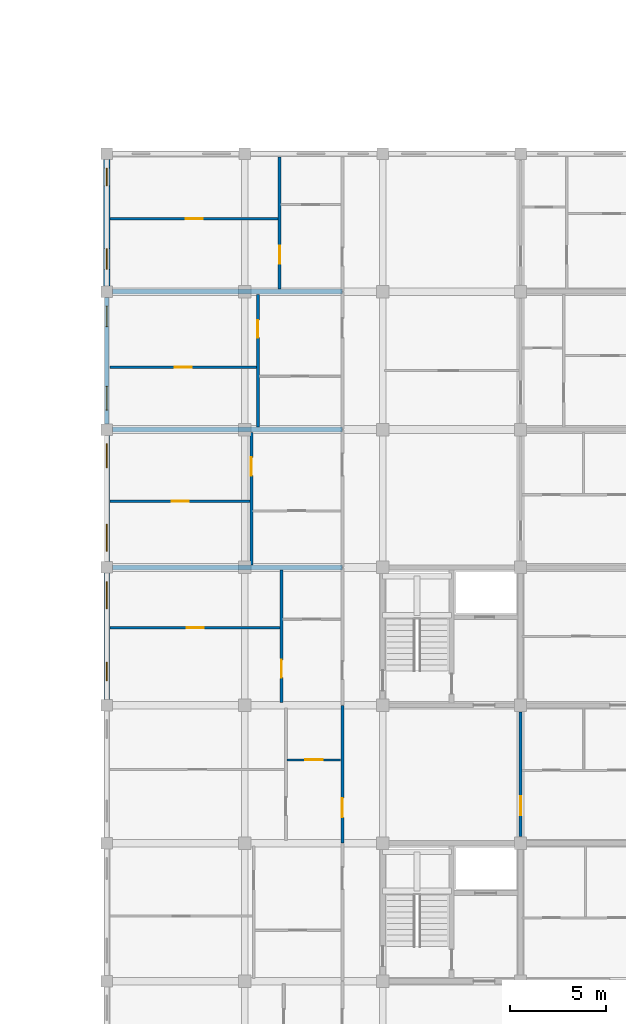
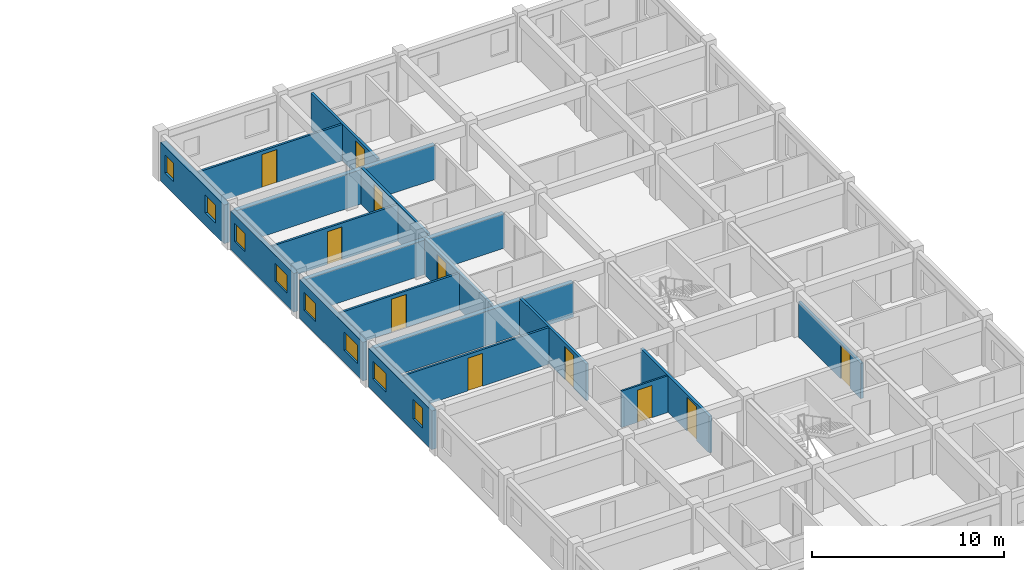
# One storey, part 31 of 50: 18 walls, 11 doors, 8 windows, 19 openings.
"""IFC4 building model written with IfcOpenShell, lengths in metres."""

import ifcopenshell
import ifcopenshell.guid

model = None  # the IFC model being written
_history = None  # IfcOwnerHistory: only IFC2X3 demands one
_inside = {}  # id of a spatial element -> (the spatial element, [elements in it])
_under = {}  # id of a project, library or spatial element -> (it, [spatial elements below it])
_declared = {}  # id of a project -> (the project, [libraries it declares])
_typed = {}  # id of a type object -> (the type object, [elements of that type])
_made_of = {}  # id of a material, layer set ... -> (it, [elements and type objects made of it])


def new_model(schema):
    """Start an empty IFC model of exactly this schema.

    Asked for "IFC4X3", IfcOpenShell would pick the latest addendum, in which some entities
    have other attributes; the version numbers below select the first issue.
    IFC2X3 requires an IfcOwnerHistory on every rooted entity: one is made here for all.
    """
    global model, _history
    if schema == "IFC4X3":
        model = ifcopenshell.file(schema_version=(4, 3, 0, 0))
    else:
        model = ifcopenshell.file(schema=schema)
    _inside.clear()
    _under.clear()
    _declared.clear()
    _typed.clear()
    _made_of.clear()
    _history = None
    if model.schema == "IFC2X3":
        org = make("IfcOrganization", Name="unknown")
        user = make(
            "IfcPersonAndOrganization",
            ThePerson=make("IfcPerson", FamilyName="unknown"),
            TheOrganization=org,
        )
        app = make(
            "IfcApplication",
            ApplicationDeveloper=org,
            Version="unknown",
            ApplicationFullName="unknown",
            ApplicationIdentifier="unknown",
        )
        _history = make(
            "IfcOwnerHistory",
            OwningUser=user,
            OwningApplication=app,
            ChangeAction="ADDED",
            CreationDate=0,
        )
    return model


def make(cls, **values):
    """One entity of the class cls with the attributes given. An attribute that is None is left unset."""
    return model.create_entity(
        cls, **{name: value for name, value in values.items() if value is not None}
    )


def rooted(cls, **values):
    """An entity with a GlobalId (a new one), such as an element, a storey or a relation."""
    return make(cls, GlobalId=ifcopenshell.guid.new(), OwnerHistory=_history, **values)


def si_unit(unit_type, name, prefix=None):
    """IfcSIUnit, for example si_unit("LENGTHUNIT", "METRE", prefix="MILLI")."""
    return make("IfcSIUnit", UnitType=unit_type, Prefix=prefix, Name=name)


def assignment(units):
    """IfcUnitAssignment: the units of a project."""
    return None if units is None else make("IfcUnitAssignment", Units=units)


def point(xyz):
    """IfcCartesianPoint."""
    return None if xyz is None else make("IfcCartesianPoint", Coordinates=xyz)


def direction(xyz):
    """IfcDirection."""
    return None if xyz is None else make("IfcDirection", DirectionRatios=xyz)


def frame(location, z_axis=None, x_axis=None):
    """IfcAxis2Placement3D, a coordinate frame: its origin and axes. An axis left out is left unset."""
    return make(
        "IfcAxis2Placement3D",
        Location=point(location),
        Axis=direction(z_axis),
        RefDirection=direction(x_axis),
    )


def frame_2d(location, x_axis=None):
    """IfcAxis2Placement2D, a coordinate frame in the plane: its origin and x axis."""
    return make(
        "IfcAxis2Placement2D", Location=point(location), RefDirection=direction(x_axis)
    )


def origin():
    """The frame at (0, 0, 0) with its axes left unset."""
    return frame((0.0, 0.0, 0.0))


def place(relative_to, where):
    """IfcLocalPlacement: puts the frame where relative to a parent placement (None: the world)."""
    return make(
        "IfcLocalPlacement", PlacementRelTo=relative_to, RelativePlacement=where
    )


def context(
    kind, dimensions, precision=None, world=None, true_north=None, identifier=None
):
    """IfcGeometricRepresentationContext, for example the 3D "Model" context."""
    return make(
        "IfcGeometricRepresentationContext",
        ContextIdentifier=identifier,
        ContextType=kind,
        CoordinateSpaceDimension=dimensions,
        Precision=precision,
        WorldCoordinateSystem=world,
        TrueNorth=true_north,
    )


def subcontext(parent, identifier, kind, view, scale=None):
    """IfcGeometricRepresentationSubContext, for example "Body" below "Model"."""
    return make(
        "IfcGeometricRepresentationSubContext",
        ContextIdentifier=identifier,
        ContextType=kind,
        ParentContext=parent,
        TargetScale=scale,
        TargetView=view,
    )


def project(units=None, contexts=None):
    """IfcProject with its units and contexts."""
    return rooted(
        "IfcProject",
        Name="project",
        RepresentationContexts=contexts,
        UnitsInContext=assignment(units),
    )


def spatial(cls, under=None, at=None, **own):
    """A site, building, storey or space (cls), placed at a placement, below another one or the project."""
    s = rooted(cls, ObjectPlacement=at, **own)
    if under is not None:
        _under.setdefault(under.id(), (under, []))[1].append(s)
    return s


def profile(cls, at=None, kind="AREA", **sizes):
    """A parametric profile (cls). Its sizes go by their IFC names, for example OverallWidth=200.0."""
    return make(cls, ProfileType=kind, Position=at, **sizes)


def rectangle(**sizes):
    """IfcRectangleProfileDef."""
    return profile("IfcRectangleProfileDef", **sizes)


def extrude(swept, where, along, depth):
    """IfcExtrudedAreaSolid: the profile swept, set in the frame where, extruded along a direction by depth."""
    return make(
        "IfcExtrudedAreaSolid",
        SweptArea=swept,
        Position=where,
        ExtrudedDirection=direction(along),
        Depth=depth,
    )


def shape(context_of_items, identifier, shape_type, items):
    """IfcShapeRepresentation: the items that make up one representation, for example the "Body"."""
    return make(
        "IfcShapeRepresentation",
        ContextOfItems=context_of_items,
        RepresentationIdentifier=identifier,
        RepresentationType=shape_type,
        Items=items,
    )


def material(Name=None, Category=None):
    """IfcMaterial."""
    return make("IfcMaterial", Name=Name, Category=Category)


def layer(
    of_material, thickness, ventilated=None, Name=None, Category=None, Priority=None
):
    """IfcMaterialLayer: one layer of a wall or slab, of a material (None: an air gap)."""
    return make(
        "IfcMaterialLayer",
        Material=of_material,
        LayerThickness=thickness,
        IsVentilated=ventilated,
        Name=Name,
        Category=Category,
        Priority=Priority,
    )


def layer_set(layers, Name=None):
    """IfcMaterialLayerSet."""
    return make("IfcMaterialLayerSet", MaterialLayers=layers, LayerSetName=Name)


def made_of(thing, what):
    """Note that an element or type object is made of a material, layer set ...; save() writes the relation."""
    if what is not None:
        _made_of.setdefault(what.id(), (what, []))[1].append(thing)
    return thing


def type_object(cls, material=None, **own):
    """A type object (cls), such as IfcWallType, which elements share."""
    return made_of(rooted(cls, **own), material)


def element(
    cls,
    number,
    at=None,
    inside=None,
    cuts=None,
    type_object=None,
    material=None,
    context=None,
    identifier="Body",
    shape_type=None,
    held_by="IfcProductDefinitionShape",
    body=None,
    shapes=None,
    **own,
):
    """One element of the class cls, such as IfcWall. Its Tag is "e" and its number.

    at: its placement. inside: the storey or other place that contains it. cuts: it is an
    opening in that element (IfcRelVoidsElement). A single representation is given by context,
    identifier, shape_type and body (its items); several are given by shapes. held_by: the class
    of the entity that holds the representations. save() writes the other relations.
    """
    e = rooted(cls, Tag="e%d" % number, ObjectPlacement=at, **own)
    if body is not None:
        shapes = [shape(context, identifier, shape_type, body)]
    if shapes is not None:
        e.Representation = make(held_by, Representations=shapes)
    if inside is not None:
        _inside.setdefault(inside.id(), (inside, []))[1].append(e)
    if cuts is not None:
        rooted(
            "IfcRelVoidsElement", RelatingBuildingElement=cuts, RelatedOpeningElement=e
        )
    if type_object is not None:
        _typed.setdefault(type_object.id(), (type_object, []))[1].append(e)
    return made_of(e, material)


def fill(opening, filler):
    """IfcRelFillsElement: the door or window that sits in an opening."""
    return rooted(
        "IfcRelFillsElement",
        RelatingOpeningElement=opening,
        RelatedBuildingElement=filler,
    )


def aggregate(whole, parts):
    """IfcRelAggregates: a whole, such as a stair, and the parts it consists of."""
    return rooted("IfcRelAggregates", RelatingObject=whole, RelatedObjects=parts)


def save(model, path):
    """Write the relations noted so far, then the file.

    IfcRelAggregates (storeys below a building ...), IfcRelContainedInSpatialStructure (elements
    in a storey), IfcRelDefinesByType, IfcRelAssociatesMaterial and IfcRelDeclares: one each for
    every whole, place, type object, material and project.
    """
    for whole, parts in _under.values():
        aggregate(whole, parts)
    for where, things in _inside.values():
        rooted(
            "IfcRelContainedInSpatialStructure",
            RelatedElements=things,
            RelatingStructure=where,
        )
    for kind, things in _typed.values():
        rooted("IfcRelDefinesByType", RelatedObjects=things, RelatingType=kind)
    for what, things in _made_of.values():
        rooted("IfcRelAssociatesMaterial", RelatedObjects=things, RelatingMaterial=what)
    for by, libraries in _declared.values():
        rooted("IfcRelDeclares", RelatingContext=by, RelatedDefinitions=libraries)
    model.write(path)


model = new_model("IFC4")

# Units and contexts
model_context = context("Model", 3, precision=1e-05, world=origin(), true_north=direction((0.0, 1.0)))
body_context = subcontext(model_context, "Body", "Model", "MODEL_VIEW")
ifc_project = project(units=[si_unit("LENGTHUNIT", "METRE"), si_unit("AREAUNIT", "SQUARE_METRE"), si_unit("VOLUMEUNIT", "CUBIC_METRE"), si_unit("PLANEANGLEUNIT", "RADIAN"), si_unit("MASSUNIT", "GRAM", prefix="KILO"), si_unit("THERMODYNAMICTEMPERATUREUNIT", "KELVIN"), si_unit("POWERUNIT", "WATT")], contexts=[model_context])

# Site, building, storey
site_placement = place(None, origin())
site = spatial("IfcSite", under=ifc_project, at=site_placement, CompositionType="ELEMENT")
building_placement = place(site_placement, origin())
building = spatial("IfcBuilding", under=site, at=building_placement, Name="Tavuni Mirador Residences", CompositionType="ELEMENT")
storey_placement = place(building_placement, frame((0.0, 0.0, 4.5)))
storey = spatial("IfcBuildingStorey", under=building, at=storey_placement, Name="L01", CompositionType="ELEMENT", Elevation=4.5)

# Wall, opening, door
ifc_material_1 = material(Name="Precast concrete C40/50", Category="concrete")
ifc_layer_1 = layer(ifc_material_1, 0.1650390625, Name="Precast concrete C40/50", Category="concrete")
ifc_layer_set_1 = layer_set([ifc_layer_1], Name="Precast concrete C40/50")
wall_type_1 = type_object("IfcWallType", Name="WT-CORR165", PredefinedType="PARTITIONING", material=ifc_layer_set_1)
wall_1_placement = place(storey_placement, frame((102.300048828125, 100.820068359375, 0.0), z_axis=(0.0, 0.0, 1.0), x_axis=(0.0, 1.0, 0.0)))
wall_1 = element("IfcWall", 1, at=wall_1_placement, inside=storey, type_object=wall_type_1, Name="CORW-BLK-D-L01-0-02", PredefinedType="PARTITIONING", context=body_context, shape_type="SweptSolid", body=[
    extrude(rectangle(XDim=7.159912109375, YDim=0.1650390625, at=frame_2d((3.580078125, 0.0))), origin(), (0.0, 0.0, 1.0), 2.324951171875),
])
opening_1_placement = place(wall_1_placement, frame((1.330078125, 0.0, 0.0)))
opening_1 = element("IfcOpeningElement", 2, at=opening_1_placement, cuts=wall_1, Name="Opening D-03", PredefinedType="OPENING", context=body_context, shape_type="SweptSolid", body=[
    extrude(rectangle(XDim=1.0, YDim=2.14990234375, at=frame_2d((0.5, 1.074951171875))), frame((0.0, 0.092529296875, 0.0), z_axis=(0.0, -1.0, 0.0), x_axis=(1.0, 0.0, 0.0)), (0.0, 0.0, 1.0), 0.18505859375),
])
ifc_material_2 = material(Name="Solid core iroko timber", Category="wood")
door_type_1 = type_object("IfcDoorType", Name="DT-FD60-1000", OperationType="NOTDEFINED", PredefinedType="DOOR", material=ifc_material_2)
door_1_placement = place(opening_1_placement, origin())
door_1 = element("IfcDoor", 3, at=door_1_placement, inside=storey, type_object=door_type_1, Name="DR-2823", OperationType="SINGLE_SWING_RIGHT", OverallHeight=2.14990234375, OverallWidth=1.0, PredefinedType="DOOR", context=body_context, shape_type="SweptSolid", body=[
    extrude(rectangle(XDim=1.0, YDim=2.14990234375, at=frame_2d((0.5, 1.074951171875))), frame((0.0, 0.02490234375, 0.0), z_axis=(0.0, -1.0, 0.0), x_axis=(1.0, 0.0, 0.0)), (0.0, 0.0, 1.0), 0.050048828125),
])
fill(opening_1, door_1)

wall_2_placement = place(storey_placement, frame((111.60009765625, 101.14990234375, 0.0), z_axis=(0.0, 0.0, 1.0), x_axis=(0.0, 1.0, 0.0)))
wall_2 = element("IfcWall", 4, at=wall_2_placement, inside=storey, type_object=wall_type_1, Name="CORW-BLK-D-L01-1-02", PredefinedType="PARTITIONING", context=body_context, shape_type="SweptSolid", body=[
    extrude(rectangle(XDim=6.5, YDim=0.1650390625, at=frame_2d((3.25, 0.0))), origin(), (0.0, 0.0, 1.0), 2.239990234375),
])
opening_2_placement = place(wall_2_placement, frame((1.10009765625, 0.0, 0.0)))
opening_2 = element("IfcOpeningElement", 5, at=opening_2_placement, cuts=wall_2, Name="Opening D-03", PredefinedType="OPENING", context=body_context, shape_type="SweptSolid", body=[
    extrude(rectangle(XDim=1.0, YDim=2.14990234375, at=frame_2d((0.5, 1.074951171875))), frame((0.0, 0.092529296875, 0.0), z_axis=(0.0, -1.0, 0.0), x_axis=(1.0, 0.0, 0.0)), (0.0, 0.0, 1.0), 0.18505859375),
])
door_2_placement = place(opening_2_placement, origin())
door_2 = element("IfcDoor", 6, at=door_2_placement, inside=storey, type_object=door_type_1, Name="DR-2829", OperationType="SINGLE_SWING_RIGHT", OverallHeight=2.14990234375, OverallWidth=1.0, PredefinedType="DOOR", context=body_context, shape_type="SweptSolid", body=[
    extrude(rectangle(XDim=1.0, YDim=2.14990234375, at=frame_2d((0.5, 1.074951171875))), frame((0.0, 0.02490234375, 0.0), z_axis=(0.0, -1.0, 0.0), x_axis=(1.0, 0.0, 0.0)), (0.0, 0.0, 1.0), 0.050048828125),
])
fill(opening_2, door_2)

# Wall, openings, windows
ifc_layer_2 = layer(ifc_material_1, 0.330078125, Name="Precast concrete C40/50", Category="concrete")
ifc_layer_set_2 = layer_set([ifc_layer_2], Name="Precast concrete C40/50")
wall_type_2 = type_object("IfcWallType", Name="WT-EXT-COR330", PredefinedType="SOLIDWALL", material=ifc_layer_set_2)
wall_3_placement = place(storey_placement, frame((90.0, 136.5, 0.0), z_axis=(0.0, 0.0, 1.0), x_axis=(0.0, -1.0, 0.0)))
wall_3 = element("IfcWall", 7, at=wall_3_placement, inside=storey, type_object=wall_type_2, Name="EW-BLK-D-L01-W06", PredefinedType="SOLIDWALL", context=body_context, shape_type="SweptSolid", body=[
    extrude(rectangle(XDim=6.60009765625, YDim=0.330078125, at=frame_2d((3.300048828125, 0.0))), origin(), (0.0, 0.0, 1.0), 2.4599609375),
])
opening_3_placement = place(wall_3_placement, frame((0.449951171875, 0.0, 0.780029296875)))
opening_3 = element("IfcOpeningElement", 8, at=opening_3_placement, cuts=wall_3, Name="Opening WN-02", PredefinedType="OPENING", context=body_context, shape_type="SweptSolid", body=[
    extrude(rectangle(XDim=0.919921875, YDim=1.14990234375, at=frame_2d((0.4599609375, 0.574951171875))), frame((0.0, 0.175048828125, 0.0), z_axis=(0.0, -1.0, 0.0), x_axis=(1.0, 0.0, 0.0)), (0.0, 0.0, 1.0), 0.35009765625),
])
opening_4_placement = place(wall_3_placement, frame((4.64990234375, 0.0, 0.780029296875)))
opening_4 = element("IfcOpeningElement", 9, at=opening_4_placement, cuts=wall_3, Name="Opening WN-04", PredefinedType="OPENING", context=body_context, shape_type="SweptSolid", body=[
    extrude(rectangle(XDim=1.080078125, YDim=1.14990234375, at=frame_2d((0.5400390625, 0.574951171875))), frame((0.0, 0.175048828125, 0.0), z_axis=(0.0, -1.0, 0.0), x_axis=(1.0, 0.0, 0.0)), (0.0, 0.0, 1.0), 0.35009765625),
])
ifc_material_3 = material(Name="Laminated solar-control glass", Category="glass")
window_type_1 = type_object("IfcWindowType", Name="WNT-02", PartitioningType="SINGLE_PANEL", PredefinedType="WINDOW", material=ifc_material_3)
window_1_placement = place(opening_3_placement, origin())
window_1 = element("IfcWindow", 10, at=window_1_placement, inside=storey, type_object=window_type_1, Name="WIN-1470", OverallHeight=1.14990234375, OverallWidth=0.919921875, PartitioningType="SINGLE_PANEL", PredefinedType="WINDOW", context=body_context, shape_type="SweptSolid", body=[
    extrude(rectangle(XDim=0.919921875, YDim=1.14990234375, at=frame_2d((0.4599609375, 0.574951171875))), frame((0.0, 0.030029296875, 0.0), z_axis=(0.0, -1.0, 0.0), x_axis=(1.0, 0.0, 0.0)), (0.0, 0.0, 1.0), 0.06005859375),
])
fill(opening_3, window_1)
window_type_2 = type_object("IfcWindowType", Name="WNT-04", PartitioningType="SINGLE_PANEL", PredefinedType="WINDOW", material=ifc_material_3)
window_2_placement = place(opening_4_placement, origin())
window_2 = element("IfcWindow", 11, at=window_2_placement, inside=storey, type_object=window_type_2, Name="WIN-1471", OverallHeight=1.14990234375, OverallWidth=1.080078125, PartitioningType="SINGLE_PANEL", PredefinedType="WINDOW", context=body_context, shape_type="SweptSolid", body=[
    extrude(rectangle(XDim=1.080078125, YDim=1.14990234375, at=frame_2d((0.5400390625, 0.574951171875))), frame((0.0, 0.030029296875, 0.0), z_axis=(0.0, -1.0, 0.0), x_axis=(1.0, 0.0, 0.0)), (0.0, 0.0, 1.0), 0.06005859375),
])
fill(opening_4, window_2)

ifc_material_4 = material(Name="Sgraffito lime-rendered precast concrete C40/50", Category="concrete")
ifc_layer_3 = layer(ifc_material_4, 0.2451171875, Name="Sgraffito lime-rendered precast concrete C40/50", Category="concrete")
ifc_layer_set_3 = layer_set([ifc_layer_3], Name="Sgraffito lime-rendered precast concrete C40/50")
wall_type_3 = type_object("IfcWallType", Name="WT-EXT-PC245", PredefinedType="SOLIDWALL", material=ifc_layer_set_3)
wall_4_placement = place(storey_placement, frame((90.0, 129.300048828125, 0.0), z_axis=(0.0, 0.0, 1.0), x_axis=(0.0, -1.0, 0.0)))
wall_4 = element("IfcWall", 12, at=wall_4_placement, inside=storey, type_object=wall_type_3, Name="EW-BLK-D-L01-W05", PredefinedType="SOLIDWALL", context=body_context, shape_type="SweptSolid", body=[
    extrude(rectangle(XDim=6.60009765625, YDim=0.2451171875, at=frame_2d((3.300048828125, 0.0))), origin(), (0.0, 0.0, 1.0), 2.4599609375),
])
opening_5_placement = place(wall_4_placement, frame((0.449951171875, 0.0, 0.780029296875)))
opening_5 = element("IfcOpeningElement", 13, at=opening_5_placement, cuts=wall_4, Name="Opening WN-04", PredefinedType="OPENING", context=body_context, shape_type="SweptSolid", body=[
    extrude(rectangle(XDim=1.080078125, YDim=1.14990234375, at=frame_2d((0.5400390625, 0.574951171875))), frame((0.0, 0.132568359375, 0.0), z_axis=(0.0, -1.0, 0.0), x_axis=(1.0, 0.0, 0.0)), (0.0, 0.0, 1.0), 0.26513671875),
])
opening_6_placement = place(wall_4_placement, frame((4.64990234375, 0.0, 0.780029296875)))
opening_6 = element("IfcOpeningElement", 14, at=opening_6_placement, cuts=wall_4, Name="Opening WN-06", PredefinedType="OPENING", context=body_context, shape_type="SweptSolid", body=[
    extrude(rectangle(XDim=1.239990234375, YDim=1.14990234375, at=frame_2d((0.6201171875, 0.574951171875))), frame((0.0, 0.132568359375, 0.0), z_axis=(0.0, -1.0, 0.0), x_axis=(1.0, 0.0, 0.0)), (0.0, 0.0, 1.0), 0.26513671875),
])
window_3_placement = place(opening_5_placement, origin())
window_3 = element("IfcWindow", 15, at=window_3_placement, inside=storey, type_object=window_type_2, Name="WIN-1472", OverallHeight=1.14990234375, OverallWidth=1.080078125, PartitioningType="SINGLE_PANEL", PredefinedType="WINDOW", context=body_context, shape_type="SweptSolid", body=[
    extrude(rectangle(XDim=1.080078125, YDim=1.14990234375, at=frame_2d((0.5400390625, 0.574951171875))), frame((0.0, 0.030029296875, 0.0), z_axis=(0.0, -1.0, 0.0), x_axis=(1.0, 0.0, 0.0)), (0.0, 0.0, 1.0), 0.06005859375),
])
fill(opening_5, window_3)
window_type_3 = type_object("IfcWindowType", Name="WNT-06", PartitioningType="SINGLE_PANEL", PredefinedType="WINDOW", material=ifc_material_3)
window_4_placement = place(opening_6_placement, origin())
window_4 = element("IfcWindow", 16, at=window_4_placement, inside=storey, type_object=window_type_3, Name="WIN-1473", OverallHeight=1.14990234375, OverallWidth=1.239990234375, PartitioningType="SINGLE_PANEL", PredefinedType="WINDOW", context=body_context, shape_type="SweptSolid", body=[
    extrude(rectangle(XDim=1.239990234375, YDim=1.14990234375, at=frame_2d((0.6201171875, 0.574951171875))), frame((0.0, 0.030029296875, 0.0), z_axis=(0.0, -1.0, 0.0), x_axis=(1.0, 0.0, 0.0)), (0.0, 0.0, 1.0), 0.06005859375),
])
fill(opening_6, window_4)

ifc_layer_4 = layer(ifc_material_4, 0.2548828125, Name="Sgraffito lime-rendered precast concrete C40/50", Category="concrete")
ifc_layer_set_4 = layer_set([ifc_layer_4], Name="Sgraffito lime-rendered precast concrete C40/50")
wall_type_4 = type_object("IfcWallType", Name="WT-EXT-PC255", PredefinedType="SOLIDWALL", material=ifc_layer_set_4)
wall_5_placement = place(storey_placement, frame((90.0, 122.10009765625, 0.0), z_axis=(0.0, 0.0, 1.0), x_axis=(0.0, -1.0, 0.0)))
wall_5 = element("IfcWall", 17, at=wall_5_placement, inside=storey, type_object=wall_type_4, Name="EW-BLK-D-L01-W04", PredefinedType="SOLIDWALL", context=body_context, shape_type="SweptSolid", body=[
    extrude(rectangle(XDim=6.60009765625, YDim=0.2548828125, at=frame_2d((3.300048828125, 0.0))), origin(), (0.0, 0.0, 1.0), 2.4599609375),
])
opening_7_placement = place(wall_5_placement, frame((0.449951171875, 0.0, 0.780029296875)))
opening_7 = element("IfcOpeningElement", 18, at=opening_7_placement, cuts=wall_5, Name="Opening WN-06", PredefinedType="OPENING", context=body_context, shape_type="SweptSolid", body=[
    extrude(rectangle(XDim=1.239990234375, YDim=1.14990234375, at=frame_2d((0.6201171875, 0.574951171875))), frame((0.0, 0.137451171875, 0.0), z_axis=(0.0, -1.0, 0.0), x_axis=(1.0, 0.0, 0.0)), (0.0, 0.0, 1.0), 0.27490234375),
])
opening_8_placement = place(wall_5_placement, frame((4.64990234375, 0.0, 0.780029296875)))
opening_8 = element("IfcOpeningElement", 19, at=opening_8_placement, cuts=wall_5, Name="Opening WN-08", PredefinedType="OPENING", context=body_context, shape_type="SweptSolid", body=[
    extrude(rectangle(XDim=1.39990234375, YDim=1.14990234375, at=frame_2d((0.699951171875, 0.574951171875))), frame((0.0, 0.137451171875, 0.0), z_axis=(0.0, -1.0, 0.0), x_axis=(1.0, 0.0, 0.0)), (0.0, 0.0, 1.0), 0.27490234375),
])
window_5_placement = place(opening_7_placement, origin())
window_5 = element("IfcWindow", 20, at=window_5_placement, inside=storey, type_object=window_type_3, Name="WIN-1474", OverallHeight=1.14990234375, OverallWidth=1.239990234375, PartitioningType="SINGLE_PANEL", PredefinedType="WINDOW", context=body_context, shape_type="SweptSolid", body=[
    extrude(rectangle(XDim=1.239990234375, YDim=1.14990234375, at=frame_2d((0.6201171875, 0.574951171875))), frame((0.0, 0.030029296875, 0.0), z_axis=(0.0, -1.0, 0.0), x_axis=(1.0, 0.0, 0.0)), (0.0, 0.0, 1.0), 0.06005859375),
])
fill(opening_7, window_5)
window_type_4 = type_object("IfcWindowType", Name="WNT-08", PartitioningType="SINGLE_PANEL", PredefinedType="WINDOW", material=ifc_material_3)
window_6_placement = place(opening_8_placement, origin())
window_6 = element("IfcWindow", 21, at=window_6_placement, inside=storey, type_object=window_type_4, Name="WIN-1475", OverallHeight=1.14990234375, OverallWidth=1.39990234375, PartitioningType="SINGLE_PANEL", PredefinedType="WINDOW", context=body_context, shape_type="SweptSolid", body=[
    extrude(rectangle(XDim=1.39990234375, YDim=1.14990234375, at=frame_2d((0.699951171875, 0.574951171875))), frame((0.0, 0.030029296875, 0.0), z_axis=(0.0, -1.0, 0.0), x_axis=(1.0, 0.0, 0.0)), (0.0, 0.0, 1.0), 0.06005859375),
])
fill(opening_8, window_6)

ifc_layer_5 = layer(ifc_material_4, 0.27490234375, Name="Sgraffito lime-rendered precast concrete C40/50", Category="concrete")
ifc_layer_set_5 = layer_set([ifc_layer_5], Name="Sgraffito lime-rendered precast concrete C40/50")
wall_type_5 = type_object("IfcWallType", Name="WT-EXT-PC275", PredefinedType="SOLIDWALL", material=ifc_layer_set_5)
wall_6_placement = place(storey_placement, frame((90.0, 114.89990234375, 0.0), z_axis=(0.0, 0.0, 1.0), x_axis=(0.0, -1.0, 0.0)))
wall_6 = element("IfcWall", 22, at=wall_6_placement, inside=storey, type_object=wall_type_5, Name="EW-BLK-D-L01-W03", PredefinedType="SOLIDWALL", context=body_context, shape_type="SweptSolid", body=[
    extrude(rectangle(XDim=6.599853515625, YDim=0.27490234375, at=frame_2d((3.2998046875, 0.0))), origin(), (0.0, 0.0, 1.0), 2.4599609375),
])
opening_9_placement = place(wall_6_placement, frame((0.449951171875, 0.0, 0.780029296875)))
opening_9 = element("IfcOpeningElement", 23, at=opening_9_placement, cuts=wall_6, Name="Opening WN-08", PredefinedType="OPENING", context=body_context, shape_type="SweptSolid", body=[
    extrude(rectangle(XDim=1.39990234375, YDim=1.14990234375, at=frame_2d((0.699951171875, 0.574951171875))), frame((0.0, 0.1474609375, 0.0), z_axis=(0.0, -1.0, 0.0), x_axis=(1.0, 0.0, 0.0)), (0.0, 0.0, 1.0), 0.294921875),
])
opening_10_placement = place(wall_6_placement, frame((4.64990234375, 0.0, 0.780029296875)))
opening_10 = element("IfcOpeningElement", 24, at=opening_10_placement, cuts=wall_6, Name="Opening WN-10", PredefinedType="OPENING", context=body_context, shape_type="SweptSolid", body=[
    extrude(rectangle(XDim=0.9599609375, YDim=1.260009765625, at=frame_2d((0.47998046875, 0.6298828125))), frame((0.0, 0.1474609375, 0.0), z_axis=(0.0, -1.0, 0.0), x_axis=(1.0, 0.0, 0.0)), (0.0, 0.0, 1.0), 0.294921875),
])
window_7_placement = place(opening_9_placement, origin())
window_7 = element("IfcWindow", 25, at=window_7_placement, inside=storey, type_object=window_type_4, Name="WIN-1476", OverallHeight=1.14990234375, OverallWidth=1.39990234375, PartitioningType="SINGLE_PANEL", PredefinedType="WINDOW", context=body_context, shape_type="SweptSolid", body=[
    extrude(rectangle(XDim=1.39990234375, YDim=1.14990234375, at=frame_2d((0.699951171875, 0.574951171875))), frame((0.0, 0.030029296875, 0.0), z_axis=(0.0, -1.0, 0.0), x_axis=(1.0, 0.0, 0.0)), (0.0, 0.0, 1.0), 0.06005859375),
])
fill(opening_9, window_7)
window_type_5 = type_object("IfcWindowType", Name="WNT-10", PartitioningType="SINGLE_PANEL", PredefinedType="WINDOW", material=ifc_material_3)
window_8_placement = place(opening_10_placement, origin())
window_8 = element("IfcWindow", 26, at=window_8_placement, inside=storey, type_object=window_type_5, Name="WIN-1477", OverallHeight=1.260009765625, OverallWidth=0.9599609375, PartitioningType="SINGLE_PANEL", PredefinedType="WINDOW", context=body_context, shape_type="SweptSolid", body=[
    extrude(rectangle(XDim=0.9599609375, YDim=1.260009765625, at=frame_2d((0.47998046875, 0.6298828125))), frame((0.0, 0.030029296875, 0.0), z_axis=(0.0, -1.0, 0.0), x_axis=(1.0, 0.0, 0.0)), (0.0, 0.0, 1.0), 0.06005859375),
])
fill(opening_10, window_8)

# Wall, opening, door
ifc_material_5 = material(Name="Acoustic gypsum and concrete block partition", Category="concrete")
ifc_layer_6 = layer(ifc_material_5, 0.10498046875, Name="Acoustic gypsum and concrete block partition", Category="concrete")
ifc_layer_set_6 = layer_set([ifc_layer_6], Name="Acoustic gypsum and concrete block partition")
wall_type_6 = type_object("IfcWallType", Name="WT-PART105", PredefinedType="PARTITIONING", material=ifc_layer_set_6)
wall_7_placement = place(storey_placement, frame((99.419921875, 105.14990234375, 0.0), z_axis=(0.0, 0.0, 1.0), x_axis=(1.0, 0.0, 0.0)))
wall_7 = element("IfcWall", 27, at=wall_7_placement, inside=storey, type_object=wall_type_6, Name="PW-BLK-D-L01-W02-IN1", PredefinedType="PARTITIONING", context=body_context, shape_type="SweptSolid", body=[
    extrude(rectangle(XDim=2.7900390625, YDim=0.10498046875, at=frame_2d((1.39501953125, 0.0))), origin(), (0.0, 0.0, 1.0), 2.324951171875),
])
opening_11_placement = place(wall_7_placement, frame((0.945068359375, 0.0, 0.0)))
opening_11 = element("IfcOpeningElement", 28, at=opening_11_placement, cuts=wall_7, Name="Opening D-09", PredefinedType="OPENING", context=body_context, shape_type="SweptSolid", body=[
    extrude(rectangle(XDim=0.89990234375, YDim=2.050048828125, at=frame_2d((0.449951171875, 1.02490234375))), frame((0.0, 0.0625, 0.0), z_axis=(0.0, -1.0, 0.0), x_axis=(1.0, 0.0, 0.0)), (0.0, 0.0, 1.0), 0.125),
])
door_type_2 = type_object("IfcDoorType", Name="DT-WC900", OperationType="NOTDEFINED", PredefinedType="DOOR", material=ifc_material_2)
door_3_placement = place(opening_11_placement, origin())
door_3 = element("IfcDoor", 29, at=door_3_placement, inside=storey, type_object=door_type_2, Name="DR-4325", OperationType="SINGLE_SWING_RIGHT", OverallHeight=2.050048828125, OverallWidth=0.89990234375, PredefinedType="DOOR", context=body_context, shape_type="SweptSolid", body=[
    extrude(rectangle(XDim=0.89990234375, YDim=2.050048828125, at=frame_2d((0.449951171875, 1.02490234375))), frame((0.0, 0.02490234375, 0.0), z_axis=(0.0, -1.0, 0.0), x_axis=(1.0, 0.0, 0.0)), (0.0, 0.0, 1.0), 0.050048828125),
])
fill(opening_11, door_3)

ifc_layer_7 = layer(ifc_material_5, 0.125, Name="Acoustic gypsum and concrete block partition", Category="concrete")
ifc_layer_set_7 = layer_set([ifc_layer_7], Name="Acoustic gypsum and concrete block partition")
wall_type_7 = type_object("IfcWallType", Name="WT-PART125", PredefinedType="PARTITIONING", material=ifc_layer_set_7)
wall_8_placement = place(storey_placement, frame((90.175048828125, 112.050048828125, 0.0), z_axis=(0.0, 0.0, 1.0), x_axis=(1.0, 0.0, 0.0)))
wall_8 = element("IfcWall", 30, at=wall_8_placement, inside=storey, type_object=wall_type_7, Name="PW-BLK-D-L01-W03-OUT", PredefinedType="PARTITIONING", context=body_context, shape_type="SweptSolid", body=[
    extrude(rectangle(XDim=8.875, YDim=0.125, at=frame_2d((4.4375, 0.0))), origin(), (0.0, 0.0, 1.0), 2.324951171875),
])
opening_12_placement = place(wall_8_placement, frame((3.99755859375, 0.0, 0.0)))
opening_12 = element("IfcOpeningElement", 31, at=opening_12_placement, cuts=wall_8, Name="Opening D-08", PredefinedType="OPENING", context=body_context, shape_type="SweptSolid", body=[
    extrude(rectangle(XDim=0.8798828125, YDim=2.080078125, at=frame_2d((0.43994140625, 1.0400390625))), frame((0.0, 0.072509765625, 0.0), z_axis=(0.0, -1.0, 0.0), x_axis=(1.0, 0.0, 0.0)), (0.0, 0.0, 1.0), 0.14501953125),
])
door_type_3 = type_object("IfcDoorType", Name="DT-BED880", OperationType="NOTDEFINED", PredefinedType="DOOR", material=ifc_material_2)
door_4_placement = place(opening_12_placement, origin())
door_4 = element("IfcDoor", 32, at=door_4_placement, inside=storey, type_object=door_type_3, Name="DR-4329", OperationType="SINGLE_SWING_RIGHT", OverallHeight=2.080078125, OverallWidth=0.8798828125, PredefinedType="DOOR", context=body_context, shape_type="SweptSolid", body=[
    extrude(rectangle(XDim=0.8798828125, YDim=2.080078125, at=frame_2d((0.43994140625, 1.0400390625))), frame((0.0, 0.02490234375, 0.0), z_axis=(0.0, -1.0, 0.0), x_axis=(1.0, 0.0, 0.0)), (0.0, 0.0, 1.0), 0.050048828125),
])
fill(opening_12, door_4)

wall_9_placement = place(storey_placement, frame((90.175048828125, 118.64990234375, 0.0), z_axis=(0.0, 0.0, 1.0), x_axis=(1.0, 0.0, 0.0)))
wall_9 = element("IfcWall", 33, at=wall_9_placement, inside=storey, type_object=wall_type_7, Name="PW-BLK-D-L01-W04-OUT", PredefinedType="PARTITIONING", context=body_context, shape_type="SweptSolid", body=[
    extrude(rectangle(XDim=7.304931640625, YDim=0.125, at=frame_2d((3.65234375, 0.0))), origin(), (0.0, 0.0, 1.0), 2.324951171875),
])
opening_13_placement = place(wall_9_placement, frame((3.202392578125, 0.0, 0.0)))
opening_13 = element("IfcOpeningElement", 34, at=opening_13_placement, cuts=wall_9, Name="Opening D-07", PredefinedType="OPENING", context=body_context, shape_type="SweptSolid", body=[
    extrude(rectangle(XDim=0.89990234375, YDim=2.10009765625, at=frame_2d((0.449951171875, 1.050048828125))), frame((0.0, 0.072509765625, 0.0), z_axis=(0.0, -1.0, 0.0), x_axis=(1.0, 0.0, 0.0)), (0.0, 0.0, 1.0), 0.14501953125),
])
door_type_4 = type_object("IfcDoorType", Name="DT-BED900", OperationType="NOTDEFINED", PredefinedType="DOOR", material=ifc_material_2)
door_5_placement = place(opening_13_placement, origin())
door_5 = element("IfcDoor", 35, at=door_5_placement, inside=storey, type_object=door_type_4, Name="DR-4333", OperationType="SINGLE_SWING_LEFT", OverallHeight=2.10009765625, OverallWidth=0.89990234375, PredefinedType="DOOR", context=body_context, shape_type="SweptSolid", body=[
    extrude(rectangle(XDim=0.89990234375, YDim=2.10009765625, at=frame_2d((0.449951171875, 1.050048828125))), frame((0.0, 0.02490234375, 0.0), z_axis=(0.0, -1.0, 0.0), x_axis=(1.0, 0.0, 0.0)), (0.0, 0.0, 1.0), 0.050048828125),
])
fill(opening_13, door_5)

wall_10_placement = place(storey_placement, frame((90.175048828125, 125.64990234375, 0.0), z_axis=(0.0, 0.0, 1.0), x_axis=(1.0, 0.0, 0.0)))
wall_10 = element("IfcWall", 36, at=wall_10_placement, inside=storey, type_object=wall_type_7, Name="PW-BLK-D-L01-W05-OUT", PredefinedType="PARTITIONING", context=body_context, shape_type="SweptSolid", body=[
    extrude(rectangle(XDim=7.64501953125, YDim=0.125, at=frame_2d((3.822509765625, 0.0))), origin(), (0.0, 0.0, 1.0), 2.324951171875),
])
opening_14_placement = place(wall_10_placement, frame((3.382568359375, 0.0, 0.0)))
opening_14 = element("IfcOpeningElement", 37, at=opening_14_placement, cuts=wall_10, Name="Opening D-08", PredefinedType="OPENING", context=body_context, shape_type="SweptSolid", body=[
    extrude(rectangle(XDim=0.8798828125, YDim=2.080078125, at=frame_2d((0.43994140625, 1.0400390625))), frame((0.0, 0.072509765625, 0.0), z_axis=(0.0, -1.0, 0.0), x_axis=(1.0, 0.0, 0.0)), (0.0, 0.0, 1.0), 0.14501953125),
])
door_6_placement = place(opening_14_placement, origin())
door_6 = element("IfcDoor", 38, at=door_6_placement, inside=storey, type_object=door_type_3, Name="DR-4339", OperationType="SINGLE_SWING_RIGHT", OverallHeight=2.080078125, OverallWidth=0.8798828125, PredefinedType="DOOR", context=body_context, shape_type="SweptSolid", body=[
    extrude(rectangle(XDim=0.8798828125, YDim=2.080078125, at=frame_2d((0.43994140625, 1.0400390625))), frame((0.0, 0.02490234375, 0.0), z_axis=(0.0, -1.0, 0.0), x_axis=(1.0, 0.0, 0.0)), (0.0, 0.0, 1.0), 0.050048828125),
])
fill(opening_14, door_6)

wall_11_placement = place(storey_placement, frame((90.175048828125, 133.39990234375, 0.0), z_axis=(0.0, 0.0, 1.0), x_axis=(1.0, 0.0, 0.0)))
wall_11 = element("IfcWall", 39, at=wall_11_placement, inside=storey, type_object=wall_type_7, Name="PW-BLK-D-L01-W06-OUT", PredefinedType="PARTITIONING", context=body_context, shape_type="SweptSolid", body=[
    extrude(rectangle(XDim=8.77490234375, YDim=0.125, at=frame_2d((4.387451171875, 0.0))), origin(), (0.0, 0.0, 1.0), 2.324951171875),
])
opening_15_placement = place(wall_11_placement, frame((3.9375, 0.0, 0.0)))
opening_15 = element("IfcOpeningElement", 40, at=opening_15_placement, cuts=wall_11, Name="Opening D-07", PredefinedType="OPENING", context=body_context, shape_type="SweptSolid", body=[
    extrude(rectangle(XDim=0.89990234375, YDim=2.10009765625, at=frame_2d((0.449951171875, 1.050048828125))), frame((0.0, 0.072509765625, 0.0), z_axis=(0.0, -1.0, 0.0), x_axis=(1.0, 0.0, 0.0)), (0.0, 0.0, 1.0), 0.14501953125),
])
door_7_placement = place(opening_15_placement, origin())
door_7 = element("IfcDoor", 41, at=door_7_placement, inside=storey, type_object=door_type_4, Name="DR-4345", OperationType="SINGLE_SWING_LEFT", OverallHeight=2.10009765625, OverallWidth=0.89990234375, PredefinedType="DOOR", context=body_context, shape_type="SweptSolid", body=[
    extrude(rectangle(XDim=0.89990234375, YDim=2.10009765625, at=frame_2d((0.449951171875, 1.050048828125))), frame((0.0, 0.02490234375, 0.0), z_axis=(0.0, -1.0, 0.0), x_axis=(1.0, 0.0, 0.0)), (0.0, 0.0, 1.0), 0.050048828125),
])
fill(opening_15, door_7)

ifc_layer_8 = layer(ifc_material_5, 0.14990234375, Name="Acoustic gypsum and concrete block partition", Category="concrete")
ifc_layer_set_8 = layer_set([ifc_layer_8], Name="Acoustic gypsum and concrete block partition")
wall_type_8 = type_object("IfcWallType", Name="WT-PART150", PredefinedType="PARTITIONING", material=ifc_layer_set_8)
wall_12_placement = place(storey_placement, frame((99.1201171875, 108.139892578125, 0.0), z_axis=(0.0, 0.0, 1.0), x_axis=(0.0, 1.0, 0.0)))
wall_12 = element("IfcWall", 42, at=wall_12_placement, inside=storey, type_object=wall_type_8, Name="PW-BLK-D-L01-W03-MID", PredefinedType="PARTITIONING", context=body_context, shape_type="SweptSolid", body=[
    extrude(rectangle(XDim=6.920166015625, YDim=0.14990234375, at=frame_2d((3.4599609375, 0.0))), origin(), (0.0, 0.0, 1.0), 2.324951171875),
])
opening_16_placement = place(wall_12_placement, frame((1.31005859375, 0.0, 0.0)))
opening_16 = element("IfcOpeningElement", 43, at=opening_16_placement, cuts=wall_12, Name="Opening D-06", PredefinedType="OPENING", context=body_context, shape_type="SweptSolid", body=[
    extrude(rectangle(XDim=0.919921875, YDim=2.10009765625, at=frame_2d((0.4599609375, 1.050048828125))), frame((0.0, 0.0849609375, 0.0), z_axis=(0.0, -1.0, 0.0), x_axis=(1.0, 0.0, 0.0)), (0.0, 0.0, 1.0), 0.169921875),
])
door_type_5 = type_object("IfcDoorType", Name="DT-INT920", OperationType="NOTDEFINED", PredefinedType="DOOR", material=ifc_material_2)
door_8_placement = place(opening_16_placement, origin())
door_8 = element("IfcDoor", 44, at=door_8_placement, inside=storey, type_object=door_type_5, Name="DR-4331", OperationType="SINGLE_SWING_RIGHT", OverallHeight=2.10009765625, OverallWidth=0.919921875, PredefinedType="DOOR", context=body_context, shape_type="SweptSolid", body=[
    extrude(rectangle(XDim=0.919921875, YDim=2.10009765625, at=frame_2d((0.4599609375, 1.050048828125))), frame((0.0, 0.02490234375, 0.0), z_axis=(0.0, -1.0, 0.0), x_axis=(1.0, 0.0, 0.0)), (0.0, 0.0, 1.0), 0.050048828125),
])
fill(opening_16, door_8)

wall_13_placement = place(storey_placement, frame((97.550048828125, 115.340087890625, 0.0), z_axis=(0.0, 0.0, 1.0), x_axis=(0.0, 1.0, 0.0)))
wall_13 = element("IfcWall", 45, at=wall_13_placement, inside=storey, type_object=wall_type_8, Name="PW-BLK-D-L01-W04-MID", PredefinedType="PARTITIONING", context=body_context, shape_type="SweptSolid", body=[
    extrude(rectangle(XDim=6.919921875, YDim=0.14990234375, at=frame_2d((3.4599609375, 0.0))), origin(), (0.0, 0.0, 1.0), 2.324951171875),
])
opening_17_placement = place(wall_13_placement, frame((4.659912109375, 0.0, 0.0)))
opening_17 = element("IfcOpeningElement", 46, at=opening_17_placement, cuts=wall_13, Name="Opening D-05", PredefinedType="OPENING", context=body_context, shape_type="SweptSolid", body=[
    extrude(rectangle(XDim=0.949951171875, YDim=2.10009765625, at=frame_2d((0.47509765625, 1.050048828125))), frame((0.0, 0.0849609375, 0.0), z_axis=(0.0, -1.0, 0.0), x_axis=(1.0, 0.0, 0.0)), (0.0, 0.0, 1.0), 0.169921875),
])
door_type_6 = type_object("IfcDoorType", Name="DT-INT950", OperationType="NOTDEFINED", PredefinedType="DOOR", material=ifc_material_2)
door_9_placement = place(opening_17_placement, origin())
door_9 = element("IfcDoor", 47, at=door_9_placement, inside=storey, type_object=door_type_6, Name="DR-4335", OperationType="SINGLE_SWING_LEFT", OverallHeight=2.10009765625, OverallWidth=0.949951171875, PredefinedType="DOOR", context=body_context, shape_type="SweptSolid", body=[
    extrude(rectangle(XDim=0.949951171875, YDim=2.10009765625, at=frame_2d((0.47509765625, 1.050048828125))), frame((0.0, 0.02490234375, 0.0), z_axis=(0.0, -1.0, 0.0), x_axis=(1.0, 0.0, 0.0)), (0.0, 0.0, 1.0), 0.050048828125),
])
fill(opening_17, door_9)

wall_14_placement = place(storey_placement, frame((97.889892578125, 122.5400390625, 0.0), z_axis=(0.0, 0.0, 1.0), x_axis=(0.0, 1.0, 0.0)))
wall_14 = element("IfcWall", 48, at=wall_14_placement, inside=storey, type_object=wall_type_8, Name="PW-BLK-D-L01-W05-MID", PredefinedType="PARTITIONING", context=body_context, shape_type="SweptSolid", body=[
    extrude(rectangle(XDim=6.919921875, YDim=0.14990234375, at=frame_2d((3.4599609375, 0.0))), origin(), (0.0, 0.0, 1.0), 2.324951171875),
])
opening_18_placement = place(wall_14_placement, frame((4.659912109375, 0.0, 0.0)))
opening_18 = element("IfcOpeningElement", 49, at=opening_18_placement, cuts=wall_14, Name="Opening D-06", PredefinedType="OPENING", context=body_context, shape_type="SweptSolid", body=[
    extrude(rectangle(XDim=0.919921875, YDim=2.10009765625, at=frame_2d((0.4599609375, 1.050048828125))), frame((0.0, 0.0849609375, 0.0), z_axis=(0.0, -1.0, 0.0), x_axis=(1.0, 0.0, 0.0)), (0.0, 0.0, 1.0), 0.169921875),
])
door_10_placement = place(opening_18_placement, origin())
door_10 = element("IfcDoor", 50, at=door_10_placement, inside=storey, type_object=door_type_5, Name="DR-4341", OperationType="SINGLE_SWING_RIGHT", OverallHeight=2.10009765625, OverallWidth=0.919921875, PredefinedType="DOOR", context=body_context, shape_type="SweptSolid", body=[
    extrude(rectangle(XDim=0.919921875, YDim=2.10009765625, at=frame_2d((0.4599609375, 1.050048828125))), frame((0.0, 0.02490234375, 0.0), z_axis=(0.0, -1.0, 0.0), x_axis=(1.0, 0.0, 0.0)), (0.0, 0.0, 1.0), 0.050048828125),
])
fill(opening_18, door_10)

wall_15_placement = place(storey_placement, frame((99.02001953125, 129.739990234375, 0.0), z_axis=(0.0, 0.0, 1.0), x_axis=(0.0, 1.0, 0.0)))
wall_15 = element("IfcWall", 51, at=wall_15_placement, inside=storey, type_object=wall_type_8, Name="PW-BLK-D-L01-W06-MID", PredefinedType="PARTITIONING", context=body_context, shape_type="SweptSolid", body=[
    extrude(rectangle(XDim=6.885009765625, YDim=0.14990234375, at=frame_2d((3.4423828125, 0.0))), origin(), (0.0, 0.0, 1.0), 2.324951171875),
])
opening_19_placement = place(wall_15_placement, frame((1.31005859375, 0.0, 0.0)))
opening_19 = element("IfcOpeningElement", 52, at=opening_19_placement, cuts=wall_15, Name="Opening D-05", PredefinedType="OPENING", context=body_context, shape_type="SweptSolid", body=[
    extrude(rectangle(XDim=0.949951171875, YDim=2.10009765625, at=frame_2d((0.47509765625, 1.050048828125))), frame((0.0, 0.0849609375, 0.0), z_axis=(0.0, -1.0, 0.0), x_axis=(1.0, 0.0, 0.0)), (0.0, 0.0, 1.0), 0.169921875),
])
door_11_placement = place(opening_19_placement, origin())
door_11 = element("IfcDoor", 53, at=door_11_placement, inside=storey, type_object=door_type_6, Name="DR-4347", OperationType="SINGLE_SWING_LEFT", OverallHeight=2.10009765625, OverallWidth=0.949951171875, PredefinedType="DOOR", context=body_context, shape_type="SweptSolid", body=[
    extrude(rectangle(XDim=0.949951171875, YDim=2.10009765625, at=frame_2d((0.47509765625, 1.050048828125))), frame((0.0, 0.02490234375, 0.0), z_axis=(0.0, -1.0, 0.0), x_axis=(1.0, 0.0, 0.0)), (0.0, 0.0, 1.0), 0.050048828125),
])
fill(opening_19, door_11)

# Walls
ifc_layer_9 = layer(ifc_material_1, 0.264892578125, Name="Precast concrete C40/50", Category="concrete")
ifc_layer_set_9 = layer_set([ifc_layer_9], Name="Precast concrete C40/50")
wall_type_9 = type_object("IfcWallType", Name="WT-XW265", PredefinedType="SOLIDWALL", material=ifc_layer_set_9)
for number, where, z_axis, x_axis, name in (
    (54, (90.300048828125, 115.199951171875, 0.0), (0.0, 0.0, 1.0), (1.0, 0.0, 0.0), "XW-BLK-D-L01-W-04"),
    (55, (90.300048828125, 122.39990234375, 0.0), (0.0, 0.0, 1.0), (1.0, 0.0, 0.0), "XW-BLK-D-L01-W-05"),
    (56, (90.300048828125, 129.60009765625, 0.0), (0.0, 0.0, 1.0), (1.0, 0.0, 0.0), "XW-BLK-D-L01-W-06"),
):
    element("IfcWall", number, at=place(storey_placement, frame(where, z_axis=z_axis, x_axis=x_axis)), inside=storey, type_object=wall_type_9, Name=name, PredefinedType="SOLIDWALL", context=body_context, shape_type="SweptSolid", body=[
        extrude(rectangle(XDim=12.0, YDim=0.264892578125, at=frame_2d((6.0, 0.0))), origin(), (0.0, 0.0, 1.0), 2.18994140625),
    ])

save(model, "model.ifc")
